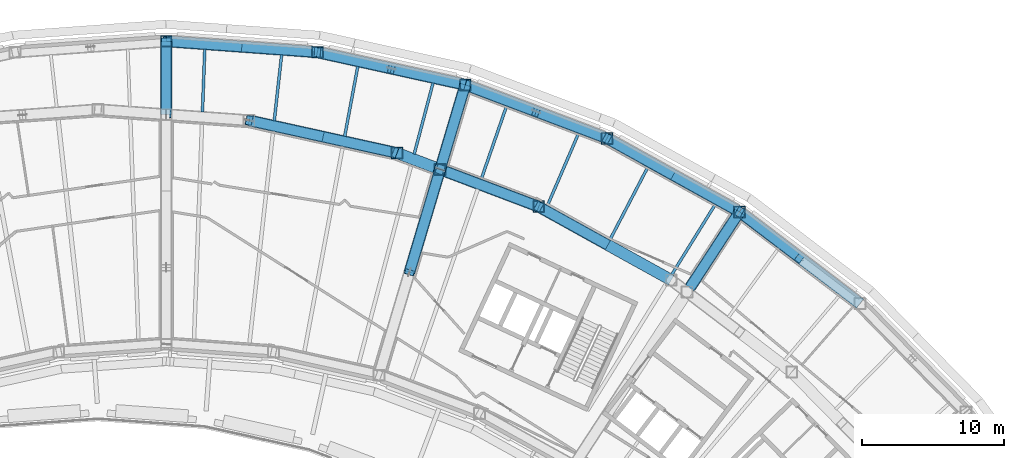
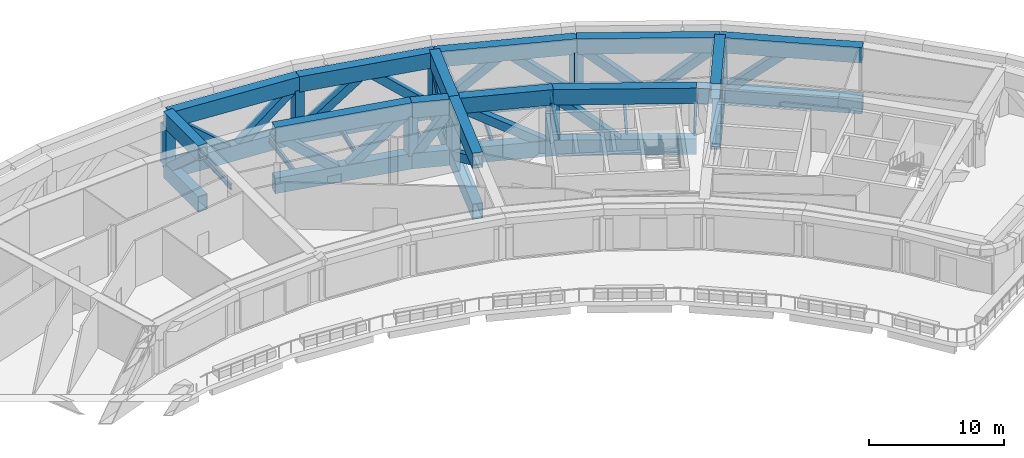
# One storey, part 5 of 25: 34 beams, 26 members.
"""IFC4 building model written with IfcOpenShell, lengths in metres."""

from ifc_helpers import new_model, si_unit, direction, frame, origin, origin_2d, place, context, subcontext, project, spatial, hollow_rectangle, i_section, extrude, material, material_profile, profile_set, type_object, element, save


model = new_model("IFC4")

# Units and contexts
model_context = context("Model", 3, precision=1e-05, world=origin(), true_north=direction((0.0, 1.0)))
body_context = subcontext(model_context, "Body", "Model", "MODEL_VIEW")
ifc_project = project(units=[si_unit("LENGTHUNIT", "METRE"), si_unit("AREAUNIT", "SQUARE_METRE"), si_unit("VOLUMEUNIT", "CUBIC_METRE"), si_unit("PLANEANGLEUNIT", "RADIAN"), si_unit("MASSUNIT", "GRAM", prefix="KILO")], contexts=[model_context])

# Site, building, storey
site_placement = place(None, origin())
site = spatial("IfcSite", under=ifc_project, at=site_placement, CompositionType="ELEMENT")
building_placement = place(site_placement, origin())
building = spatial("IfcBuilding", under=site, at=building_placement, Name="Tuul Gate Civic Tower", CompositionType="ELEMENT")
storey_placement = place(building_placement, frame((0.0, 0.0, 60.89990234375)))
storey = spatial("IfcBuildingStorey", under=building, at=storey_placement, Name="Plant and refuge floor 2", CompositionType="ELEMENT", Elevation=60.89990234375)

# Beams
ifc_material_1 = material(Name="Steel S355", Category="steel")
ifc_material_profile_1 = material_profile(ifc_material_1, i_section(OverallWidth=0.199951171875, OverallDepth=0.5, WebThickness=0.010009765625, FlangeThickness=0.01611328125, at=origin_2d()), Name="PG500x200x10x16")
ifc_profile_set_1 = profile_set([ifc_material_profile_1], Name="Steel S355")
beam_type_1 = type_object("IfcBeamType", Name="STR-FLOOR BEAM-PG500x200x10x16", PredefinedType="BEAM", material=ifc_profile_set_1)
beam_1_placement = place(storey_placement, frame((40.4345703125, 2.25830078125, -0.64990234375), z_axis=(0.52701752951, 0.849854413173, 0.0), x_axis=(-0.849854413173, 0.52701752951, 0.0)))
element("IfcBeam", 1, at=beam_1_placement, inside=storey, type_object=beam_type_1, Name="Floor beam", PredefinedType="BEAM", context=body_context, shape_type="SweptSolid", body=[
    extrude(i_section(OverallWidth=0.199951171875, OverallDepth=0.5, WebThickness=0.010009765625, FlangeThickness=0.01611328125, at=origin_2d()), origin(), (0.0, 0.0, 1.0), 5.843505859375),
])
beam_2_placement = place(storey_placement, frame((36.061279296875, 4.68212890625, -0.64990234375), z_axis=(0.462717475959, 0.886505802261, 0.0), x_axis=(-0.886505802261, 0.462717475959, 0.0)))
element("IfcBeam", 2, at=beam_2_placement, inside=storey, type_object=beam_type_1, Name="Floor beam", PredefinedType="BEAM", context=body_context, shape_type="SweptSolid", body=[
    extrude(i_section(OverallWidth=0.199951171875, OverallDepth=0.5, WebThickness=0.010009765625, FlangeThickness=0.01611328125, at=origin_2d()), origin(), (0.0, 0.0, 1.0), 5.838623046875),
])
beam_3_placement = place(storey_placement, frame((31.671630859375, 7.115234375, -0.64990234375), z_axis=(0.395903774704, 0.918292002129, 0.0), x_axis=(-0.918292002129, 0.395903774704, 0.0)))
element("IfcBeam", 3, at=beam_3_placement, inside=storey, type_object=beam_type_1, Name="Floor beam", PredefinedType="BEAM", context=body_context, shape_type="SweptSolid", body=[
    extrude(i_section(OverallWidth=0.199951171875, OverallDepth=0.5, WebThickness=0.010009765625, FlangeThickness=0.01611328125, at=origin_2d()), origin(), (0.0, 0.0, 1.0), 5.580322265625),
])
beam_4_placement = place(storey_placement, frame((27.001708984375, 8.96240234375, -0.64990234375), z_axis=(0.326939819991, 0.945045159823, 0.0), x_axis=(-0.945045159823, 0.326939819991, 0.0)))
element("IfcBeam", 4, at=beam_4_placement, inside=storey, type_object=beam_type_1, Name="Floor beam", PredefinedType="BEAM", context=body_context, shape_type="SweptSolid", body=[
    extrude(i_section(OverallWidth=0.199951171875, OverallDepth=0.5, WebThickness=0.010009765625, FlangeThickness=0.01611328125, at=origin_2d()), origin(), (0.0, 0.0, 1.0), 5.50048828125),
])
beam_5_placement = place(storey_placement, frame((22.281982421875, 10.74755859375, -0.64990234375), z_axis=(0.256152979118, 0.966636255935, 0.0), x_axis=(-0.966636255935, 0.256152979118, 0.0)))
element("IfcBeam", 5, at=beam_5_placement, inside=storey, type_object=beam_type_1, Name="Floor beam", PredefinedType="BEAM", context=body_context, shape_type="SweptSolid", body=[
    extrude(i_section(OverallWidth=0.199951171875, OverallDepth=0.5, WebThickness=0.010009765625, FlangeThickness=0.01611328125, at=origin_2d()), origin(), (0.0, 0.0, 1.0), 5.204833984375),
])
beam_6_placement = place(storey_placement, frame((17.384765625, 12.0009765625, -0.64990234375), z_axis=(0.183992716418, 0.982927606849, 0.0), x_axis=(-0.982927606849, 0.183992716418, 0.0)))
element("IfcBeam", 6, at=beam_6_placement, inside=storey, type_object=beam_type_1, Name="Floor beam", PredefinedType="BEAM", context=body_context, shape_type="SweptSolid", body=[
    extrude(i_section(OverallWidth=0.199951171875, OverallDepth=0.5, WebThickness=0.010009765625, FlangeThickness=0.01611328125, at=origin_2d()), origin(), (0.0, 0.0, 1.0), 5.032958984375),
])
beam_7_placement = place(storey_placement, frame((12.420654296875, 13.094970703125, -0.64990234375), z_axis=(0.110784954679, 0.99384440121, 0.0), x_axis=(-0.99384440121, 0.110784954679, 0.0)))
element("IfcBeam", 7, at=beam_7_placement, inside=storey, type_object=beam_type_1, Name="Floor beam", PredefinedType="BEAM", context=body_context, shape_type="SweptSolid", body=[
    extrude(i_section(OverallWidth=0.199951171875, OverallDepth=0.5, WebThickness=0.010009765625, FlangeThickness=0.01611328125, at=origin_2d()), origin(), (0.0, 0.0, 1.0), 4.70068359375),
])
beam_8_placement = place(storey_placement, frame((7.359619140625, 13.716064453125, -0.64990234375), z_axis=(0.037009629576, 0.999314908984, 0.0), x_axis=(-0.999314908984, 0.037009629576, 0.0)))
element("IfcBeam", 8, at=beam_8_placement, inside=storey, type_object=beam_type_1, Name="Floor beam", PredefinedType="BEAM", context=body_context, shape_type="SweptSolid", body=[
    extrude(i_section(OverallWidth=0.199951171875, OverallDepth=0.5, WebThickness=0.010009765625, FlangeThickness=0.01611328125, at=origin_2d()), origin(), (0.0, 0.0, 1.0), 4.446044921875),
])
ifc_material_2 = material(Name="Steel S460", Category="steel")
ifc_material_profile_2 = material_profile(ifc_material_2, hollow_rectangle(XDim=0.800048828125, YDim=1.39990234375, WallThickness=0.0400390625, at=origin_2d()), Name="BOX1400x800x40")
ifc_profile_set_2 = profile_set([ifc_material_profile_2], Name="Steel S460")
beam_type_2 = type_object("IfcBeamType", Name="STR-TRANSFER TRUSS CHORD-BOX1400x800x40", PredefinedType="BEAM", material=ifc_profile_set_2)
for number, where, z_axis, x_axis, name in (
    (9, (4.80810546875, 18.70703125, -1.099853515625), (0.0, -1.0, 0.0), (1.0, 0.0, 0.0), "Radial truss bottom chord"),
    (10, (4.80810546875, 18.70703125, 3.5), (0.0, -1.0, 0.0), (1.0, 0.0, 0.0), "Radial truss top chord"),
):
    element("IfcBeam", number, at=place(storey_placement, frame(where, z_axis=z_axis, x_axis=x_axis)), inside=storey, type_object=beam_type_2, Name=name, PredefinedType="BEAM", context=body_context, shape_type="SweptSolid", body=[
        extrude(hollow_rectangle(XDim=0.800048828125, YDim=1.39990234375, WallThickness=0.0400390625, at=origin_2d()), origin(), (0.0, 0.0, 1.0), 5.1572265625),
    ])
for number, where, z_axis, x_axis, name in (
    (11, (45.2109375, 6.68408203125, -1.099853515625), (-0.546731741642, -0.8373078303, 0.0), (0.8373078303, -0.546731741642, 0.0), "Radial truss bottom chord"),
    (12, (45.2109375, 6.68408203125, 3.5), (-0.546731741642, -0.8373078303, 0.0), (0.8373078303, -0.546731741642, 0.0), "Radial truss top chord"),
):
    element("IfcBeam", number, at=place(storey_placement, frame(where, z_axis=z_axis, x_axis=x_axis)), inside=storey, type_object=beam_type_2, Name=name, PredefinedType="BEAM", context=body_context, shape_type="SweptSolid", body=[
        extrude(hollow_rectangle(XDim=0.800048828125, YDim=1.39990234375, WallThickness=0.0400390625, at=origin_2d()), origin(), (0.0, 0.0, 1.0), 6.355224609375),
    ])
beam_9_placement = place(storey_placement, frame((25.885009765625, 15.636962890625, -1.099853515625), z_axis=(-0.285227815555, -0.958459750451, 0.0), x_axis=(0.958459750451, -0.285227815555, 0.0)))
element("IfcBeam", 13, at=beam_9_placement, inside=storey, type_object=beam_type_2, Name="Radial truss bottom chord", PredefinedType="BEAM", context=body_context, shape_type="SweptSolid", body=[
    extrude(hollow_rectangle(XDim=0.800048828125, YDim=1.39990234375, WallThickness=0.0400390625, at=origin_2d()), origin(), (0.0, 0.0, 1.0), 6.214111328125),
])
beam_10_placement = place(storey_placement, frame((24.112548828125, 9.680908203125, -1.099853515625), z_axis=(-0.285216915234, -0.958462994207, 0.0), x_axis=(0.958462994207, -0.285216915234, 0.0)))
element("IfcBeam", 14, at=beam_10_placement, inside=storey, type_object=beam_type_2, Name="Radial truss bottom chord", PredefinedType="BEAM", context=body_context, shape_type="SweptSolid", body=[
    extrude(hollow_rectangle(XDim=0.800048828125, YDim=1.39990234375, WallThickness=0.0400390625, at=origin_2d()), origin(), (0.0, 0.0, 1.0), 7.5703125),
])
beam_11_placement = place(storey_placement, frame((25.885009765625, 15.636962890625, 3.5), z_axis=(-0.285227815555, -0.958459750451, 0.0), x_axis=(0.958459750451, -0.285227815555, 0.0)))
element("IfcBeam", 15, at=beam_11_placement, inside=storey, type_object=beam_type_2, Name="Radial truss top chord", PredefinedType="BEAM", context=body_context, shape_type="SweptSolid", body=[
    extrude(hollow_rectangle(XDim=0.800048828125, YDim=1.39990234375, WallThickness=0.0400390625, at=origin_2d()), origin(), (0.0, 0.0, 1.0), 6.214111328125),
])
beam_12_placement = place(storey_placement, frame((24.112548828125, 9.680908203125, 3.5), z_axis=(-0.285216915234, -0.958462994207, 0.0), x_axis=(0.958462994207, -0.285216915234, 0.0)))
element("IfcBeam", 16, at=beam_12_placement, inside=storey, type_object=beam_type_2, Name="Radial truss top chord", PredefinedType="BEAM", context=body_context, shape_type="SweptSolid", body=[
    extrude(hollow_rectangle(XDim=0.800048828125, YDim=1.39990234375, WallThickness=0.0400390625, at=origin_2d()), origin(), (0.0, 0.0, 1.0), 7.5703125),
])
for number, where, z_axis, x_axis, name in (
    (17, (21.076904296875, 10.8291015625, -1.099853515625), (-0.9765717726, 0.21519194446, 0.0), (-0.21519194446, -0.9765717726, 0.0), "Belt truss bottom chord"),
    (18, (21.076904296875, 10.8291015625, 3.5), (-0.9765717726, 0.21519194446, 0.0), (-0.21519194446, -0.9765717726, 0.0), "Belt truss top chord"),
):
    element("IfcBeam", number, at=place(storey_placement, frame(where, z_axis=z_axis, x_axis=x_axis)), inside=storey, type_object=beam_type_2, Name=name, PredefinedType="BEAM", context=body_context, shape_type="SweptSolid", body=[
        extrude(hollow_rectangle(XDim=0.800048828125, YDim=1.39990234375, WallThickness=0.0400390625, at=origin_2d()), origin(), (0.0, 0.0, 1.0), 10.67822265625),
    ])
for number, where, z_axis, x_axis, name in (
    (19, (15.4580078125, 17.93505859375, -1.099853515625), (-0.997383171444, 0.072296675717, 0.0), (-0.072296675717, -0.997383171444, 0.0), "Belt truss bottom chord"),
    (20, (15.4580078125, 17.93505859375, 3.5), (-0.997383171444, 0.072296675717, 0.0), (-0.072296675717, -0.997383171444, 0.0), "Belt truss top chord"),
    (21, (45.2109375, 6.68408203125, -1.099853515625), (-0.874604483962, 0.484837082569, 0.0), (-0.484837082569, -0.874604483962, 0.0), "Belt truss bottom chord"),
    (22, (45.2109375, 6.68408203125, 3.5), (-0.874604483962, 0.484837082569, 0.0), (-0.484837082569, -0.874604483962, 0.0), "Belt truss top chord"),
):
    element("IfcBeam", number, at=place(storey_placement, frame(where, z_axis=z_axis, x_axis=x_axis)), inside=storey, type_object=beam_type_2, Name=name, PredefinedType="BEAM", context=body_context, shape_type="SweptSolid", body=[
        extrude(hollow_rectangle(XDim=0.800048828125, YDim=1.39990234375, WallThickness=0.0400390625, at=origin_2d()), origin(), (0.0, 0.0, 1.0), 10.677734375),
    ])
beam_13_placement = place(storey_placement, frame((31.06396484375, 7.052001953125, -1.099853515625), z_axis=(-0.93534371279, 0.353740213921, 0.0), x_axis=(-0.353740213921, -0.93534371279, 0.0)))
element("IfcBeam", 23, at=beam_13_placement, inside=storey, type_object=beam_type_2, Name="Belt truss bottom chord", PredefinedType="BEAM", context=body_context, shape_type="SweptSolid", body=[
    extrude(hollow_rectangle(XDim=0.800048828125, YDim=1.39990234375, WallThickness=0.0400390625, at=origin_2d()), origin(), (0.0, 0.0, 1.0), 7.03076171875),
])
beam_14_placement = place(storey_placement, frame((23.737548828125, 9.82275390625, -1.099853515625), z_axis=(-0.935330780812, 0.353774406176, 0.0), x_axis=(-0.353774406176, -0.935330780812, 0.0)))
element("IfcBeam", 24, at=beam_14_placement, inside=storey, type_object=beam_type_2, Name="Belt truss bottom chord", PredefinedType="BEAM", context=body_context, shape_type="SweptSolid", body=[
    extrude(hollow_rectangle(XDim=0.800048828125, YDim=1.39990234375, WallThickness=0.0400390625, at=origin_2d()), origin(), (0.0, 0.0, 1.0), 2.844482421875),
])
beam_15_placement = place(storey_placement, frame((31.06396484375, 7.052001953125, 3.5), z_axis=(-0.93534371279, 0.353740213921, 0.0), x_axis=(-0.353740213921, -0.93534371279, 0.0)))
element("IfcBeam", 25, at=beam_15_placement, inside=storey, type_object=beam_type_2, Name="Belt truss top chord", PredefinedType="BEAM", context=body_context, shape_type="SweptSolid", body=[
    extrude(hollow_rectangle(XDim=0.800048828125, YDim=1.39990234375, WallThickness=0.0400390625, at=origin_2d()), origin(), (0.0, 0.0, 1.0), 7.03076171875),
])
beam_16_placement = place(storey_placement, frame((23.737548828125, 9.82275390625, 3.5), z_axis=(-0.935330780812, 0.353774406176, 0.0), x_axis=(-0.353774406176, -0.935330780812, 0.0)))
element("IfcBeam", 26, at=beam_16_placement, inside=storey, type_object=beam_type_2, Name="Belt truss top chord", PredefinedType="BEAM", context=body_context, shape_type="SweptSolid", body=[
    extrude(hollow_rectangle(XDim=0.800048828125, YDim=1.39990234375, WallThickness=0.0400390625, at=origin_2d()), origin(), (0.0, 0.0, 1.0), 2.844482421875),
])
for number, where, z_axis, x_axis, name in (
    (27, (25.885009765625, 15.636962890625, -1.099853515625), (-0.976562731161, 0.215232971702, 0.0), (-0.215232971702, -0.976562731161, 0.0), "Belt truss bottom chord"),
    (28, (25.885009765625, 15.636962890625, 3.5), (-0.976562731161, 0.215232971702, 0.0), (-0.215232971702, -0.976562731161, 0.0), "Belt truss top chord"),
    (29, (53.7060546875, 0.216064453125, -1.099853515625), (-0.795632710164, 0.605779324933, 0.0), (-0.605779324933, -0.795632710164, 0.0), "Belt truss bottom chord"),
    (30, (53.7060546875, 0.216064453125, 3.5), (-0.795632710164, 0.605779324933, 0.0), (-0.605779324933, -0.795632710164, 0.0), "Belt truss top chord"),
):
    element("IfcBeam", number, at=place(storey_placement, frame(where, z_axis=z_axis, x_axis=x_axis)), inside=storey, type_object=beam_type_2, Name=name, PredefinedType="BEAM", context=body_context, shape_type="SweptSolid", body=[
        extrude(hollow_rectangle(XDim=0.800048828125, YDim=1.39990234375, WallThickness=0.0400390625, at=origin_2d()), origin(), (0.0, 0.0, 1.0), 10.67724609375),
    ])
for number, where, z_axis, x_axis, name in (
    (31, (35.8720703125, 11.861083984375, -1.099853515625), (-0.93537950072, 0.353645570639, 0.0), (-0.353645570639, -0.93537950072, 0.0), "Belt truss bottom chord"),
    (32, (35.8720703125, 11.861083984375, 3.5), (-0.93537950072, 0.353645570639, 0.0), (-0.353645570639, -0.93537950072, 0.0), "Belt truss top chord"),
):
    element("IfcBeam", number, at=place(storey_placement, frame(where, z_axis=z_axis, x_axis=x_axis)), inside=storey, type_object=beam_type_2, Name=name, PredefinedType="BEAM", context=body_context, shape_type="SweptSolid", body=[
        extrude(hollow_rectangle(XDim=0.800048828125, YDim=1.39990234375, WallThickness=0.0400390625, at=origin_2d()), origin(), (0.0, 0.0, 1.0), 10.677001953125),
    ])
for number, where, z_axis, x_axis, name in (
    (33, (40.402099609375, 1.8759765625, -1.099853515625), (-0.874627142999, 0.484796205358, 0.0), (-0.484796205358, -0.874627142999, 0.0), "Belt truss bottom chord"),
    (34, (40.402099609375, 1.8759765625, 3.5), (-0.874627142999, 0.484796205358, 0.0), (-0.484796205358, -0.874627142999, 0.0), "Belt truss top chord"),
):
    element("IfcBeam", number, at=place(storey_placement, frame(where, z_axis=z_axis, x_axis=x_axis)), inside=storey, type_object=beam_type_2, Name=name, PredefinedType="BEAM", context=body_context, shape_type="SweptSolid", body=[
        extrude(hollow_rectangle(XDim=0.800048828125, YDim=1.39990234375, WallThickness=0.0400390625, at=origin_2d()), origin(), (0.0, 0.0, 1.0), 10.6767578125),
    ])

# Members
ifc_material_3 = material(Name="Steel S355", Category="steel")
ifc_material_profile_3 = material_profile(ifc_material_3, hollow_rectangle(XDim=0.699951171875, YDim=0.699951171875, WallThickness=0.031982421875, at=origin_2d()), Name="BOX700x700x32")
ifc_profile_set_3 = profile_set([ifc_material_profile_3], Name="Steel S355")
member_type_1 = type_object("IfcMemberType", Name="STR-TRANSFER TRUSS DIAGONAL-BOX700x700x32", PredefinedType="BRACE", material=ifc_profile_set_3)
member_1_placement = place(storey_placement, frame((4.80810546875, 18.710693359375, -1.103271484375), z_axis=(0.0, -0.746261806439, 0.665652549196), x_axis=(1.0, 0.0, 0.0)))
element("IfcMember", 35, at=member_1_placement, inside=storey, type_object=member_type_1, Name="Radial truss web", PredefinedType="BRACE", context=body_context, shape_type="SweptSolid", body=[
    extrude(hollow_rectangle(XDim=0.699951171875, YDim=0.699951171875, WallThickness=0.031982421875, at=origin_2d()), origin(), (0.0, 0.0, 1.0), 6.920654296875),
])
member_2_placement = place(storey_placement, frame((41.514892578125, 1.023681640625, -1.102783203125), z_axis=(0.451942433684, 0.692099314743, 0.562802429959), x_axis=(-0.837293096772, 0.546754305056, 0.0)))
element("IfcMember", 36, at=member_2_placement, inside=storey, type_object=member_type_1, Name="Radial truss web", PredefinedType="BRACE", context=body_context, shape_type="SweptSolid", body=[
    extrude(hollow_rectangle(XDim=0.699951171875, YDim=0.699951171875, WallThickness=0.031982421875, at=origin_2d()), origin(), (0.0, 0.0, 1.0), 8.18359375),
])
member_3_placement = place(storey_placement, frame((24.111328125, 9.677001953125, -1.102783203125), z_axis=(0.229267274939, 0.770363272657, 0.594959616094), x_axis=(-0.958454632491, 0.285245013026, 0.0)))
element("IfcMember", 37, at=member_3_placement, inside=storey, type_object=member_type_1, Name="Radial truss web", PredefinedType="BRACE", context=body_context, shape_type="SweptSolid", body=[
    extrude(hollow_rectangle(XDim=0.699951171875, YDim=0.699951171875, WallThickness=0.031982421875, at=origin_2d()), origin(), (0.0, 0.0, 1.0), 7.74169921875),
])
member_4_placement = place(storey_placement, frame((24.11376953125, 9.68505859375, -1.1025390625), z_axis=(-0.243743887831, -0.819104996447, 0.519284047455), x_axis=(0.958464030067, -0.285213434234, 0.0)))
element("IfcMember", 38, at=member_4_placement, inside=storey, type_object=member_type_1, Name="Radial truss web", PredefinedType="BRACE", context=body_context, shape_type="SweptSolid", body=[
    extrude(hollow_rectangle(XDim=0.699951171875, YDim=0.699951171875, WallThickness=0.031982421875, at=origin_2d()), origin(), (0.0, 0.0, 1.0), 8.868408203125),
])
for number, where, z_axis, x_axis, name in (
    (39, (15.859375, 11.978759765625, -1.103271484375), (0.739837403195, -0.163036128548, 0.652732592738), (0.215204102376, 0.97656909347, 0.0), "Belt truss web"),
    (40, (15.86669921875, 11.977294921875, -1.103271484375), (-0.739837403195, 0.163036128548, 0.652732592738), (-0.215204102376, -0.97656909347, 0.0), "Belt truss web"),
):
    element("IfcMember", number, at=place(storey_placement, frame(where, z_axis=z_axis, x_axis=x_axis)), inside=storey, type_object=member_type_1, Name=name, PredefinedType="BRACE", context=body_context, shape_type="SweptSolid", body=[
        extrude(hollow_rectangle(XDim=0.699951171875, YDim=0.699951171875, WallThickness=0.031982421875, at=origin_2d()), origin(), (0.0, 0.0, 1.0), 7.0576171875),
    ])
for number, where, z_axis, x_axis, name in (
    (41, (10.129150390625, 18.3212890625, -1.103271484375), (0.755594009116, -0.054761712134, 0.652747154932), (0.072285452254, 0.997383984929, 0.0), "Belt truss web"),
    (42, (10.13671875, 18.32080078125, -1.103271484375), (-0.755594009116, 0.054761712134, 0.652747154932), (-0.072285452254, -0.997383984929, 0.0), "Belt truss web"),
):
    element("IfcMember", number, at=place(storey_placement, frame(where, z_axis=z_axis, x_axis=x_axis)), inside=storey, type_object=member_type_1, Name=name, PredefinedType="BRACE", context=body_context, shape_type="SweptSolid", body=[
        extrude(hollow_rectangle(XDim=0.699951171875, YDim=0.699951171875, WallThickness=0.031982421875, at=origin_2d()), origin(), (0.0, 0.0, 1.0), 7.057373046875),
    ])
member_5_placement = place(storey_placement, frame((40.5380859375, 9.2744140625, -1.103271484375), z_axis=(0.662590961123, -0.367306610901, 0.65273200613), x_axis=(0.484836321037, 0.874604906117, 0.0)))
element("IfcMember", 43, at=member_5_placement, inside=storey, type_object=member_type_1, Name="Belt truss web", PredefinedType="BRACE", context=body_context, shape_type="SweptSolid", body=[
    extrude(hollow_rectangle(XDim=0.699951171875, YDim=0.699951171875, WallThickness=0.031982421875, at=origin_2d()), origin(), (0.0, 0.0, 1.0), 7.0576171875),
])
member_6_placement = place(storey_placement, frame((40.544921875, 9.270751953125, -1.103271484375), z_axis=(-0.662599379882, 0.367276684568, 0.652740299624), x_axis=(-0.484801391674, -0.874624268261, 0.0)))
element("IfcMember", 44, at=member_6_placement, inside=storey, type_object=member_type_1, Name="Belt truss web", PredefinedType="BRACE", context=body_context, shape_type="SweptSolid", body=[
    extrude(hollow_rectangle(XDim=0.699951171875, YDim=0.699951171875, WallThickness=0.031982421875, at=origin_2d()), origin(), (0.0, 0.0, 1.0), 7.057373046875),
])
member_7_placement = place(storey_placement, frame((31.06787109375, 7.050537109375, -1.1025390625), z_axis=(-0.795324738848, 0.300775326602, 0.52630101908), x_axis=(-0.353729177899, -0.935347886459, 0.0)))
element("IfcMember", 45, at=member_7_placement, inside=storey, type_object=member_type_1, Name="Belt truss web", PredefinedType="BRACE", context=body_context, shape_type="SweptSolid", body=[
    extrude(hollow_rectangle(XDim=0.699951171875, YDim=0.699951171875, WallThickness=0.031982421875, at=origin_2d()), origin(), (0.0, 0.0, 1.0), 8.750244140625),
])
member_8_placement = place(storey_placement, frame((21.07421875, 10.830078125, -1.10400390625), z_axis=(0.539220232533, -0.203939187176, 0.817098738685), x_axis=(0.353755393775, 0.935337971738, 0.0)))
element("IfcMember", 46, at=member_8_placement, inside=storey, type_object=member_type_1, Name="Belt truss web", PredefinedType="BRACE", context=body_context, shape_type="SweptSolid", body=[
    extrude(hollow_rectangle(XDim=0.699951171875, YDim=0.699951171875, WallThickness=0.031982421875, at=origin_2d()), origin(), (0.0, 0.0, 1.0), 5.6396484375),
])
for number, where, z_axis, x_axis, name in (
    (47, (25.888671875, 15.63623046875, -1.103271484375), (-0.739806084527, 0.163044473995, 0.652766004627), (-0.215223296771, -0.976564863451, 0.0), "Belt truss web"),
    (48, (15.454345703125, 17.935791015625, -1.103271484375), (0.739806084527, -0.163044473995, 0.652766004627), (0.215223296771, 0.976564863451, 0.0), "Belt truss web"),
):
    element("IfcMember", number, at=place(storey_placement, frame(where, z_axis=z_axis, x_axis=x_axis)), inside=storey, type_object=member_type_1, Name=name, PredefinedType="BRACE", context=body_context, shape_type="SweptSolid", body=[
        extrude(hollow_rectangle(XDim=0.699951171875, YDim=0.699951171875, WallThickness=0.031982421875, at=origin_2d()), origin(), (0.0, 0.0, 1.0), 7.05712890625),
    ])
for number, where, z_axis, x_axis, name in (
    (49, (45.2080078125, 6.686279296875, -1.103271484375), (0.602723552611, -0.458909879772, 0.652783303537), (0.605785883419, 0.795627716617, 0.0), "Belt truss web"),
    (50, (35.87548828125, 11.859619140625, -1.103271484375), (-0.708587801168, 0.267908599367, 0.652785041511), (-0.353654552993, -0.935376104649, 0.0), "Belt truss web"),
):
    element("IfcMember", number, at=place(storey_placement, frame(where, z_axis=z_axis, x_axis=x_axis)), inside=storey, type_object=member_type_1, Name=name, PredefinedType="BRACE", context=body_context, shape_type="SweptSolid", body=[
        extrude(hollow_rectangle(XDim=0.699951171875, YDim=0.699951171875, WallThickness=0.031982421875, at=origin_2d()), origin(), (0.0, 0.0, 1.0), 7.056884765625),
    ])
member_9_placement = place(storey_placement, frame((25.88134765625, 15.638427734375, -1.103271484375), z_axis=(0.708598458123, -0.267934143346, 0.652762989128), x_axis=(0.353679400772, 0.935366709622, 0.0)))
element("IfcMember", 51, at=member_9_placement, inside=storey, type_object=member_type_1, Name="Belt truss web", PredefinedType="BRACE", context=body_context, shape_type="SweptSolid", body=[
    extrude(hollow_rectangle(XDim=0.699951171875, YDim=0.699951171875, WallThickness=0.031982421875, at=origin_2d()), origin(), (0.0, 0.0, 1.0), 7.05712890625),
])
member_10_placement = place(storey_placement, frame((35.736328125, 4.462158203125, -1.103271484375), z_axis=(-0.662549576056, 0.367272011875, 0.65279348079), x_axis=(-0.484824549895, -0.874611431334, 0.0)))
element("IfcMember", 52, at=member_10_placement, inside=storey, type_object=member_type_1, Name="Belt truss web", PredefinedType="BRACE", context=body_context, shape_type="SweptSolid", body=[
    extrude(hollow_rectangle(XDim=0.699951171875, YDim=0.699951171875, WallThickness=0.031982421875, at=origin_2d()), origin(), (0.0, 0.0, 1.0), 7.056884765625),
])
ifc_material_4 = material(Name="Steel S355", Category="steel")
ifc_material_profile_4 = material_profile(ifc_material_4, hollow_rectangle(XDim=0.800048828125, YDim=0.800048828125, WallThickness=0.034912109375, at=origin_2d()), Name="BOX800x800x35")
ifc_profile_set_4 = profile_set([ifc_material_profile_4], Name="Steel S355")
member_type_2 = type_object("IfcMemberType", Name="STR-TRUSS POST-BOX800x800x35", PredefinedType="POST", material=ifc_profile_set_4)
for number, where, z_axis, x_axis, name in (
    (53, (4.80810546875, 18.70703125, -0.594970703125), (0.0, 0.0, 1.0), (1.0, 0.0, 0.0), "Radial truss post"),
    (54, (45.2109375, 6.68408203125, -0.594970703125), (0.0, 0.0, 1.0), (1.0, 0.0, 0.0), "Radial truss post"),
    (55, (25.885009765625, 15.636962890625, -0.594970703125), (0.0, 0.0, 1.0), (1.0, 0.0, 0.0), "Radial truss post"),
    (56, (24.112548828125, 9.680908203125, -0.594970703125), (0.0, 0.0, 1.0), (1.0, 0.0, 0.0), "Radial truss post"),
    (57, (21.076904296875, 10.8291015625, -0.594970703125), (0.0, 0.0, 1.0), (1.0, 0.0, 0.0), "Belt truss post"),
    (58, (15.4580078125, 17.93505859375, -0.594970703125), (0.0, 0.0, 1.0), (1.0, 0.0, 0.0), "Belt truss post"),
    (59, (35.8720703125, 11.861083984375, -0.594970703125), (0.0, 0.0, 1.0), (1.0, 0.0, 0.0), "Belt truss post"),
    (60, (31.06396484375, 7.052001953125, -0.594970703125), (0.0, 0.0, 1.0), (1.0, 0.0, 0.0), "Belt truss post"),
):
    element("IfcMember", number, at=place(storey_placement, frame(where, z_axis=z_axis, x_axis=x_axis)), inside=storey, type_object=member_type_2, Name=name, PredefinedType="POST", context=body_context, shape_type="SweptSolid", body=[
        extrude(hollow_rectangle(XDim=0.800048828125, YDim=0.800048828125, WallThickness=0.034912109375, at=origin_2d()), origin(), (0.0, 0.0, 1.0), 3.590087890625),
    ])

save(model, "model.ifc")
